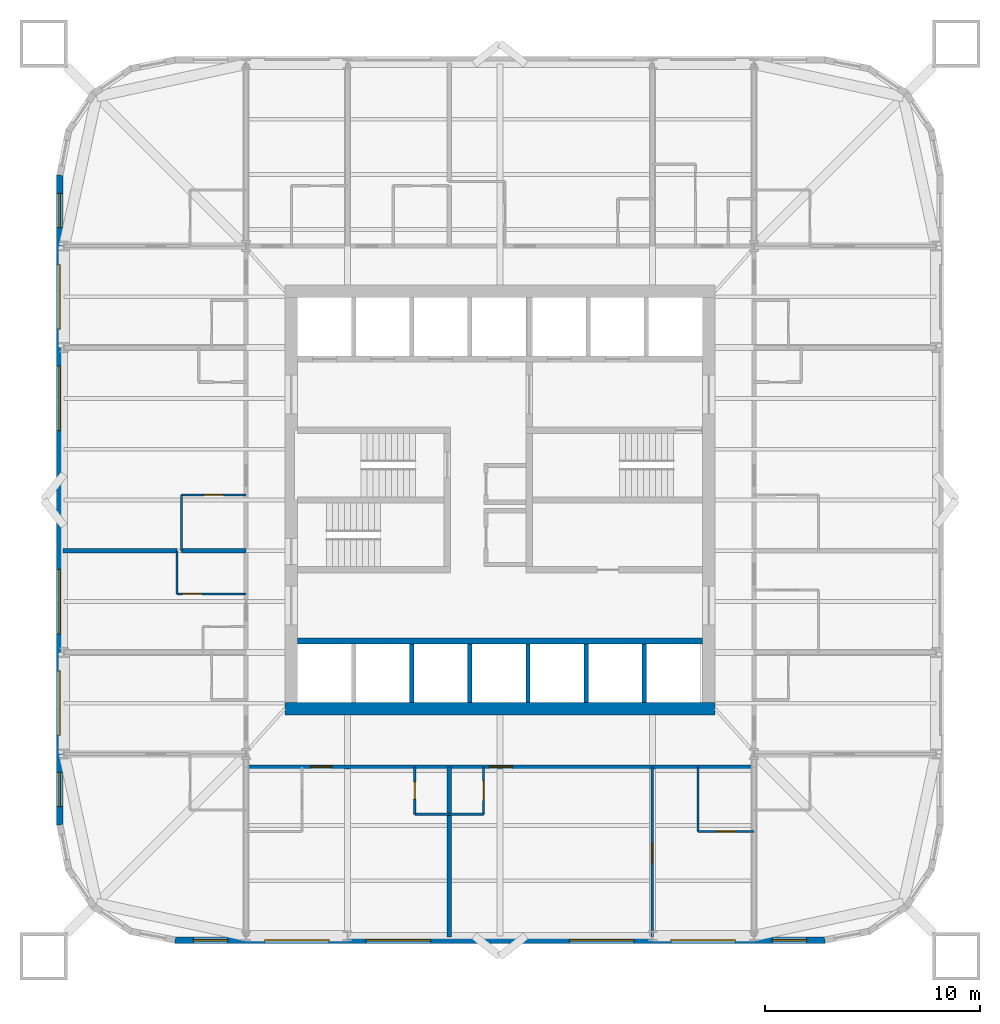
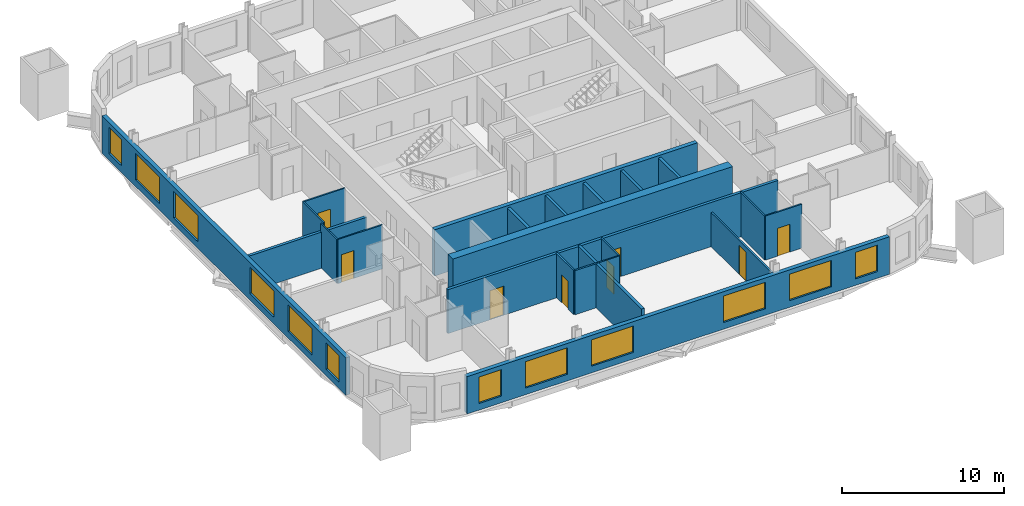
# One storey, part 3 of 9: 24 walls, 12 windows, 8 doors, 20 openings.
"""IFC4 building model written with IfcOpenShell, lengths in metres."""

import ifcopenshell
import ifcopenshell.guid

model = None  # the IFC model being written
_history = None  # IfcOwnerHistory: only IFC2X3 demands one
_inside = {}  # id of a spatial element -> (the spatial element, [elements in it])
_under = {}  # id of a project, library or spatial element -> (it, [spatial elements below it])
_declared = {}  # id of a project -> (the project, [libraries it declares])
_typed = {}  # id of a type object -> (the type object, [elements of that type])
_made_of = {}  # id of a material, layer set ... -> (it, [elements and type objects made of it])


def new_model(schema):
    """Start an empty IFC model of exactly this schema.

    Asked for "IFC4X3", IfcOpenShell would pick the latest addendum, in which some entities
    have other attributes; the version numbers below select the first issue.
    IFC2X3 requires an IfcOwnerHistory on every rooted entity: one is made here for all.
    """
    global model, _history
    if schema == "IFC4X3":
        model = ifcopenshell.file(schema_version=(4, 3, 0, 0))
    else:
        model = ifcopenshell.file(schema=schema)
    _inside.clear()
    _under.clear()
    _declared.clear()
    _typed.clear()
    _made_of.clear()
    _history = None
    if model.schema == "IFC2X3":
        org = make("IfcOrganization", Name="unknown")
        user = make(
            "IfcPersonAndOrganization",
            ThePerson=make("IfcPerson", FamilyName="unknown"),
            TheOrganization=org,
        )
        app = make(
            "IfcApplication",
            ApplicationDeveloper=org,
            Version="unknown",
            ApplicationFullName="unknown",
            ApplicationIdentifier="unknown",
        )
        _history = make(
            "IfcOwnerHistory",
            OwningUser=user,
            OwningApplication=app,
            ChangeAction="ADDED",
            CreationDate=0,
        )
    return model


def make(cls, **values):
    """One entity of the class cls with the attributes given. An attribute that is None is left unset."""
    return model.create_entity(
        cls, **{name: value for name, value in values.items() if value is not None}
    )


def rooted(cls, **values):
    """An entity with a GlobalId (a new one), such as an element, a storey or a relation."""
    return make(cls, GlobalId=ifcopenshell.guid.new(), OwnerHistory=_history, **values)


def si_unit(unit_type, name, prefix=None):
    """IfcSIUnit, for example si_unit("LENGTHUNIT", "METRE", prefix="MILLI")."""
    return make("IfcSIUnit", UnitType=unit_type, Prefix=prefix, Name=name)


def assignment(units):
    """IfcUnitAssignment: the units of a project."""
    return None if units is None else make("IfcUnitAssignment", Units=units)


def point(xyz):
    """IfcCartesianPoint."""
    return None if xyz is None else make("IfcCartesianPoint", Coordinates=xyz)


def direction(xyz):
    """IfcDirection."""
    return None if xyz is None else make("IfcDirection", DirectionRatios=xyz)


def frame(location, z_axis=None, x_axis=None):
    """IfcAxis2Placement3D, a coordinate frame: its origin and axes. An axis left out is left unset."""
    return make(
        "IfcAxis2Placement3D",
        Location=point(location),
        Axis=direction(z_axis),
        RefDirection=direction(x_axis),
    )


def frame_2d(location, x_axis=None):
    """IfcAxis2Placement2D, a coordinate frame in the plane: its origin and x axis."""
    return make(
        "IfcAxis2Placement2D", Location=point(location), RefDirection=direction(x_axis)
    )


def origin():
    """The frame at (0, 0, 0) with its axes left unset."""
    return frame((0.0, 0.0, 0.0))


def place(relative_to, where):
    """IfcLocalPlacement: puts the frame where relative to a parent placement (None: the world)."""
    return make(
        "IfcLocalPlacement", PlacementRelTo=relative_to, RelativePlacement=where
    )


def context(
    kind, dimensions, precision=None, world=None, true_north=None, identifier=None
):
    """IfcGeometricRepresentationContext, for example the 3D "Model" context."""
    return make(
        "IfcGeometricRepresentationContext",
        ContextIdentifier=identifier,
        ContextType=kind,
        CoordinateSpaceDimension=dimensions,
        Precision=precision,
        WorldCoordinateSystem=world,
        TrueNorth=true_north,
    )


def subcontext(parent, identifier, kind, view, scale=None):
    """IfcGeometricRepresentationSubContext, for example "Body" below "Model"."""
    return make(
        "IfcGeometricRepresentationSubContext",
        ContextIdentifier=identifier,
        ContextType=kind,
        ParentContext=parent,
        TargetScale=scale,
        TargetView=view,
    )


def project(units=None, contexts=None):
    """IfcProject with its units and contexts."""
    return rooted(
        "IfcProject",
        Name="project",
        RepresentationContexts=contexts,
        UnitsInContext=assignment(units),
    )


def spatial(cls, under=None, at=None, **own):
    """A site, building, storey or space (cls), placed at a placement, below another one or the project."""
    s = rooted(cls, ObjectPlacement=at, **own)
    if under is not None:
        _under.setdefault(under.id(), (under, []))[1].append(s)
    return s


def profile(cls, at=None, kind="AREA", **sizes):
    """A parametric profile (cls). Its sizes go by their IFC names, for example OverallWidth=200.0."""
    return make(cls, ProfileType=kind, Position=at, **sizes)


def rectangle(**sizes):
    """IfcRectangleProfileDef."""
    return profile("IfcRectangleProfileDef", **sizes)


def extrude(swept, where, along, depth):
    """IfcExtrudedAreaSolid: the profile swept, set in the frame where, extruded along a direction by depth."""
    return make(
        "IfcExtrudedAreaSolid",
        SweptArea=swept,
        Position=where,
        ExtrudedDirection=direction(along),
        Depth=depth,
    )


def shape(context_of_items, identifier, shape_type, items):
    """IfcShapeRepresentation: the items that make up one representation, for example the "Body"."""
    return make(
        "IfcShapeRepresentation",
        ContextOfItems=context_of_items,
        RepresentationIdentifier=identifier,
        RepresentationType=shape_type,
        Items=items,
    )


def material(Name=None, Category=None):
    """IfcMaterial."""
    return make("IfcMaterial", Name=Name, Category=Category)


def layer(
    of_material, thickness, ventilated=None, Name=None, Category=None, Priority=None
):
    """IfcMaterialLayer: one layer of a wall or slab, of a material (None: an air gap)."""
    return make(
        "IfcMaterialLayer",
        Material=of_material,
        LayerThickness=thickness,
        IsVentilated=ventilated,
        Name=Name,
        Category=Category,
        Priority=Priority,
    )


def layer_set(layers, Name=None):
    """IfcMaterialLayerSet."""
    return make("IfcMaterialLayerSet", MaterialLayers=layers, LayerSetName=Name)


def made_of(thing, what):
    """Note that an element or type object is made of a material, layer set ...; save() writes the relation."""
    if what is not None:
        _made_of.setdefault(what.id(), (what, []))[1].append(thing)
    return thing


def type_object(cls, material=None, **own):
    """A type object (cls), such as IfcWallType, which elements share."""
    return made_of(rooted(cls, **own), material)


def element(
    cls,
    number,
    at=None,
    inside=None,
    cuts=None,
    type_object=None,
    material=None,
    context=None,
    identifier="Body",
    shape_type=None,
    held_by="IfcProductDefinitionShape",
    body=None,
    shapes=None,
    **own,
):
    """One element of the class cls, such as IfcWall. Its Tag is "e" and its number.

    at: its placement. inside: the storey or other place that contains it. cuts: it is an
    opening in that element (IfcRelVoidsElement). A single representation is given by context,
    identifier, shape_type and body (its items); several are given by shapes. held_by: the class
    of the entity that holds the representations. save() writes the other relations.
    """
    e = rooted(cls, Tag="e%d" % number, ObjectPlacement=at, **own)
    if body is not None:
        shapes = [shape(context, identifier, shape_type, body)]
    if shapes is not None:
        e.Representation = make(held_by, Representations=shapes)
    if inside is not None:
        _inside.setdefault(inside.id(), (inside, []))[1].append(e)
    if cuts is not None:
        rooted(
            "IfcRelVoidsElement", RelatingBuildingElement=cuts, RelatedOpeningElement=e
        )
    if type_object is not None:
        _typed.setdefault(type_object.id(), (type_object, []))[1].append(e)
    return made_of(e, material)


def fill(opening, filler):
    """IfcRelFillsElement: the door or window that sits in an opening."""
    return rooted(
        "IfcRelFillsElement",
        RelatingOpeningElement=opening,
        RelatedBuildingElement=filler,
    )


def aggregate(whole, parts):
    """IfcRelAggregates: a whole, such as a stair, and the parts it consists of."""
    return rooted("IfcRelAggregates", RelatingObject=whole, RelatedObjects=parts)


def save(model, path):
    """Write the relations noted so far, then the file.

    IfcRelAggregates (storeys below a building ...), IfcRelContainedInSpatialStructure (elements
    in a storey), IfcRelDefinesByType, IfcRelAssociatesMaterial and IfcRelDeclares: one each for
    every whole, place, type object, material and project.
    """
    for whole, parts in _under.values():
        aggregate(whole, parts)
    for where, things in _inside.values():
        rooted(
            "IfcRelContainedInSpatialStructure",
            RelatedElements=things,
            RelatingStructure=where,
        )
    for kind, things in _typed.values():
        rooted("IfcRelDefinesByType", RelatedObjects=things, RelatingType=kind)
    for what, things in _made_of.values():
        rooted("IfcRelAssociatesMaterial", RelatedObjects=things, RelatingMaterial=what)
    for by, libraries in _declared.values():
        rooted("IfcRelDeclares", RelatingContext=by, RelatedDefinitions=libraries)
    model.write(path)


model = new_model("IFC4")

# Units and contexts
model_context = context("Model", 3, precision=1e-05, world=origin(), true_north=direction((0.0, 1.0)))
body_context = subcontext(model_context, "Body", "Model", "MODEL_VIEW")
ifc_project = project(units=[si_unit("LENGTHUNIT", "METRE"), si_unit("AREAUNIT", "SQUARE_METRE"), si_unit("VOLUMEUNIT", "CUBIC_METRE"), si_unit("PLANEANGLEUNIT", "RADIAN"), si_unit("MASSUNIT", "GRAM", prefix="KILO")], contexts=[model_context])

# Site, building, storey
site_placement = place(None, origin())
site = spatial("IfcSite", under=ifc_project, at=site_placement, CompositionType="ELEMENT")
building_placement = place(site_placement, origin())
building = spatial("IfcBuilding", under=site, at=building_placement, Name="Turquesa Mirador Hotel Tower", CompositionType="ELEMENT")
storey_placement = place(building_placement, frame((0.0, 0.0, 124.89990234375)))
storey = spatial("IfcBuildingStorey", under=building, at=storey_placement, Name="L33", CompositionType="ELEMENT", Elevation=124.89990234375)

# Wall
ifc_material_1 = material(Name="Gypsum board on steel studs", Category="steel")
ifc_layer_1 = layer(ifc_material_1, 0.10009765625)
ifc_layer_set_1 = layer_set([ifc_layer_1], Name="BATHROOM WALL 100")
wall_type_1 = type_object("IfcWallType", Name="BATHROOM WALL 100", PredefinedType="PARTITIONING", material=ifc_layer_set_1)
wall_1_placement = place(storey_placement, frame((52.639892578125, 30.39990234375, 0.0), z_axis=(0.0, 0.0, 1.0), x_axis=(1.0, 0.0, 0.0)))
element("IfcWall", 1, at=wall_1_placement, inside=storey, type_object=wall_type_1, Name="Partition L33 008", PredefinedType="PARTITIONING", context=body_context, shape_type="SweptSolid", body=[
    extrude(rectangle(XDim=1.60009765625, YDim=0.10009765625, at=frame_2d((0.800048828125, 0.0))), origin(), (0.0, 0.0, 1.0), 3.330078125),
])

# Wall, opening, door
wall_2_placement = place(storey_placement, frame((64.199951171875, 29.60009765625, 0.0), z_axis=(0.0, 0.0, 1.0), x_axis=(1.0, 0.0, 0.0)))
wall_2 = element("IfcWall", 2, at=wall_2_placement, inside=storey, type_object=wall_type_1, Name="Partition L33 011", PredefinedType="PARTITIONING", context=body_context, shape_type="SweptSolid", body=[
    extrude(rectangle(XDim=2.60009765625, YDim=0.10009765625, at=frame_2d((1.300048828125, 0.0))), origin(), (0.0, 0.0, 1.0), 3.330078125),
])
opening_1_placement = place(wall_2_placement, frame((0.85009765625, 0.0, 0.0)))
opening_1 = element("IfcOpeningElement", 3, at=opening_1_placement, cuts=wall_2, Name="Opening D02", PredefinedType="OPENING", context=body_context, shape_type="SweptSolid", body=[
    extrude(rectangle(XDim=0.89990234375, YDim=2.10009765625, at=frame_2d((0.449951171875, 1.050048828125))), frame((0.0, 0.06005859375, 0.0), z_axis=(0.0, -1.0, 0.0), x_axis=(1.0, 0.0, 0.0)), (0.0, 0.0, 1.0), 0.1201171875),
])
ifc_material_2 = material(Name="Timber veneered door", Category="wood")
door_type_1 = type_object("IfcDoorType", Name="DOOR 900X2100 EN-SUITE", OperationType="SINGLE_SWING_RIGHT", PredefinedType="DOOR", material=ifc_material_2)
door_1_placement = place(opening_1_placement, origin())
door_1 = element("IfcDoor", 4, at=door_1_placement, inside=storey, type_object=door_type_1, Name="Door 3306B", OperationType="SINGLE_SWING_RIGHT", OverallHeight=2.10009765625, OverallWidth=0.89990234375, PredefinedType="DOOR", context=body_context, shape_type="SweptSolid", body=[
    extrude(rectangle(XDim=0.89990234375, YDim=2.10009765625, at=frame_2d((0.449951171875, 1.050048828125))), frame((0.0, 0.02490234375, 0.0), z_axis=(0.0, -1.0, 0.0), x_axis=(1.0, 0.0, 0.0)), (0.0, 0.0, 1.0), 0.050048828125),
])
fill(opening_1, door_1)

wall_3_placement = place(storey_placement, frame((40.0, 40.639892578125, 0.0), z_axis=(0.0, 0.0, 1.0), x_axis=(1.0, 0.0, 0.0)))
wall_3 = element("IfcWall", 5, at=wall_3_placement, inside=storey, type_object=wall_type_1, Name="Partition L33 016", PredefinedType="PARTITIONING", context=body_context, shape_type="SweptSolid", body=[
    extrude(rectangle(XDim=3.199951171875, YDim=0.10009765625, at=frame_2d((1.60009765625, 0.0))), origin(), (0.0, 0.0, 1.0), 3.330078125),
])
opening_2_placement = place(wall_3_placement, frame((0.25, 0.0, 0.0)))
opening_2 = element("IfcOpeningElement", 6, at=opening_2_placement, cuts=wall_3, Name="Opening D02", PredefinedType="OPENING", context=body_context, shape_type="SweptSolid", body=[
    extrude(rectangle(XDim=0.89990234375, YDim=2.10009765625, at=frame_2d((0.449951171875, 1.050048828125))), frame((0.0, 0.06005859375, 0.0), z_axis=(0.0, -1.0, 0.0), x_axis=(1.0, 0.0, 0.0)), (0.0, 0.0, 1.0), 0.1201171875),
])
door_2_placement = place(opening_2_placement, origin())
door_2 = element("IfcDoor", 7, at=door_2_placement, inside=storey, type_object=door_type_1, Name="Door 3309B", OperationType="SINGLE_SWING_RIGHT", OverallHeight=2.10009765625, OverallWidth=0.89990234375, PredefinedType="DOOR", context=body_context, shape_type="SweptSolid", body=[
    extrude(rectangle(XDim=0.89990234375, YDim=2.10009765625, at=frame_2d((0.449951171875, 1.050048828125))), frame((0.0, 0.02490234375, 0.0), z_axis=(0.0, -1.0, 0.0), x_axis=(1.0, 0.0, 0.0)), (0.0, 0.0, 1.0), 0.050048828125),
])
fill(opening_2, door_2)

wall_4_placement = place(storey_placement, frame((40.199951171875, 45.239990234375, 0.0), z_axis=(0.0, 0.0, 1.0), x_axis=(1.0, 0.0, 0.0)))
wall_4 = element("IfcWall", 8, at=wall_4_placement, inside=storey, type_object=wall_type_1, Name="Partition L33 022", PredefinedType="PARTITIONING", context=body_context, shape_type="SweptSolid", body=[
    extrude(rectangle(XDim=3.0, YDim=0.10009765625, at=frame_2d((1.5, 0.0))), origin(), (0.0, 0.0, 1.0), 3.330078125),
])
opening_3_placement = place(wall_4_placement, frame((1.050048828125, 0.0, 0.0)))
opening_3 = element("IfcOpeningElement", 9, at=opening_3_placement, cuts=wall_4, Name="Opening D02", PredefinedType="OPENING", context=body_context, shape_type="SweptSolid", body=[
    extrude(rectangle(XDim=0.89990234375, YDim=2.10009765625, at=frame_2d((0.449951171875, 1.050048828125))), frame((0.0, 0.06005859375, 0.0), z_axis=(0.0, -1.0, 0.0), x_axis=(1.0, 0.0, 0.0)), (0.0, 0.0, 1.0), 0.1201171875),
])
door_3_placement = place(opening_3_placement, origin())
door_3 = element("IfcDoor", 10, at=door_3_placement, inside=storey, type_object=door_type_1, Name="Door 3310B", OperationType="SINGLE_SWING_RIGHT", OverallHeight=2.10009765625, OverallWidth=0.89990234375, PredefinedType="DOOR", context=body_context, shape_type="SweptSolid", body=[
    extrude(rectangle(XDim=0.89990234375, YDim=2.10009765625, at=frame_2d((0.449951171875, 1.050048828125))), frame((0.0, 0.02490234375, 0.0), z_axis=(0.0, -1.0, 0.0), x_axis=(1.0, 0.0, 0.0)), (0.0, 0.0, 1.0), 0.050048828125),
])
fill(opening_3, door_3)

wall_5_placement = place(storey_placement, frame((54.239990234375, 30.39990234375, 0.0), z_axis=(0.0, 0.0, 1.0), x_axis=(0.0, 1.0, 0.0)))
wall_5 = element("IfcWall", 11, at=wall_5_placement, inside=storey, type_object=wall_type_1, Name="Partition L33 043", PredefinedType="PARTITIONING", context=body_context, shape_type="SweptSolid", body=[
    extrude(rectangle(XDim=2.2001953125, YDim=0.10009765625, at=frame_2d((1.10009765625, 0.0))), origin(), (0.0, 0.0, 1.0), 3.330078125),
])
opening_4_placement = place(wall_5_placement, frame((0.64990234375, 0.0, 0.0)))
opening_4 = element("IfcOpeningElement", 12, at=opening_4_placement, cuts=wall_5, Name="Opening D06", PredefinedType="OPENING", context=body_context, shape_type="SweptSolid", body=[
    extrude(rectangle(XDim=0.89990234375, YDim=2.10009765625, at=frame_2d((0.449951171875, 1.050048828125))), frame((0.0, 0.06005859375, 0.0), z_axis=(0.0, -1.0, 0.0), x_axis=(1.0, 0.0, 0.0)), (0.0, 0.0, 1.0), 0.1201171875),
])
ifc_material_3 = material(Name="Laminate door", Category="wood")
door_type_2 = type_object("IfcDoorType", Name="DOOR 900X2100 WC", OperationType="SINGLE_SWING_LEFT", PredefinedType="DOOR", material=ifc_material_3)
door_4_placement = place(opening_4_placement, origin())
door_4 = element("IfcDoor", 13, at=door_4_placement, inside=storey, type_object=door_type_2, Name="Door 3306W", OperationType="SINGLE_SWING_LEFT", OverallHeight=2.10009765625, OverallWidth=0.89990234375, PredefinedType="DOOR", context=body_context, shape_type="SweptSolid", body=[
    extrude(rectangle(XDim=0.89990234375, YDim=2.10009765625, at=frame_2d((0.449951171875, 1.050048828125))), frame((0.0, 0.02490234375, 0.0), z_axis=(0.0, -1.0, 0.0), x_axis=(1.0, 0.0, 0.0)), (0.0, 0.0, 1.0), 0.050048828125),
])
fill(opening_4, door_4)

# Walls
wall_6_placement = place(storey_placement, frame((40.199951171875, 42.639892578125, 0.0), z_axis=(0.0, 0.0, 1.0), x_axis=(0.0, 1.0, 0.0)))
element("IfcWall", 14, at=wall_6_placement, inside=storey, type_object=wall_type_1, Name="Partition L33 053", PredefinedType="PARTITIONING", context=body_context, shape_type="SweptSolid", body=[
    extrude(rectangle(XDim=2.60009765625, YDim=0.10009765625, at=frame_2d((1.300048828125, 0.0))), origin(), (0.0, 0.0, 1.0), 3.330078125),
])
wall_7_placement = place(storey_placement, frame((40.0, 40.639892578125, 0.0), z_axis=(0.0, 0.0, 1.0), x_axis=(0.0, 1.0, 0.0)))
element("IfcWall", 15, at=wall_7_placement, inside=storey, type_object=wall_type_1, Name="Partition L33 054", PredefinedType="PARTITIONING", context=body_context, shape_type="SweptSolid", body=[
    extrude(rectangle(XDim=2.0, YDim=0.10009765625, at=frame_2d((1.0, 0.0))), origin(), (0.0, 0.0, 1.0), 3.330078125),
])
wall_8_placement = place(storey_placement, frame((64.199951171875, 29.60009765625, 0.0), z_axis=(0.0, 0.0, 1.0), x_axis=(0.0, 1.0, 0.0)))
element("IfcWall", 16, at=wall_8_placement, inside=storey, type_object=wall_type_1, Name="Partition L33 079", PredefinedType="PARTITIONING", context=body_context, shape_type="SweptSolid", body=[
    extrude(rectangle(XDim=3.0, YDim=0.10009765625, at=frame_2d((1.5, 0.0))), origin(), (0.0, 0.0, 1.0), 3.330078125),
])
ifc_material_4 = material(Name="Concrete C50/60", Category="concrete")
ifc_layer_2 = layer(ifc_material_4, 0.300048828125)
ifc_layer_set_2 = layer_set([ifc_layer_2], Name="CORE INNER WALL 300")
wall_type_2 = type_object("IfcWallType", Name="CORE INNER WALL 300", PredefinedType="SHEAR", material=ifc_layer_set_2)
wall_9_placement = place(storey_placement, frame((45.60009765625, 38.449951171875, 0.0), z_axis=(0.0, 0.0, 1.0), x_axis=(1.0, 0.0, 0.0)))
element("IfcWall", 17, at=wall_9_placement, inside=storey, type_object=wall_type_2, Name="Core wall SL", PredefinedType="SHEAR", context=body_context, shape_type="SweptSolid", body=[
    extrude(rectangle(XDim=18.7998046875, YDim=0.300048828125, at=frame_2d((9.39990234375, 0.0))), origin(), (0.0, 0.0, 1.0), 3.5),
])
ifc_material_5 = material(Name="Concrete C50/60", Category="concrete")
ifc_layer_3 = layer(ifc_material_5, 0.60009765625)
ifc_layer_set_3 = layer_set([ifc_layer_3], Name="CORE WALL 600")
wall_type_3 = type_object("IfcWallType", Name="CORE WALL 600", PredefinedType="SHEAR", material=ifc_layer_set_3)
wall_10_placement = place(storey_placement, frame((45.0, 35.300048828125, 0.0), z_axis=(0.0, 0.0, 1.0), x_axis=(1.0, 0.0, 0.0)))
element("IfcWall", 18, at=wall_10_placement, inside=storey, type_object=wall_type_3, Name="Core wall S", PredefinedType="SHEAR", context=body_context, shape_type="SweptSolid", body=[
    extrude(rectangle(XDim=20.0, YDim=0.60009765625, at=frame_2d((10.0, 0.0))), origin(), (0.0, 0.0, 1.0), 3.5),
])

# Wall, openings, doors
ifc_material_6 = material(Name="Fire-rated gypsum board on steel studs", Category="steel")
ifc_layer_4 = layer(ifc_material_6, 0.199951171875)
ifc_layer_set_4 = layer_set([ifc_layer_4], Name="CORRIDOR WALL 200")
wall_type_4 = type_object("IfcWallType", Name="CORRIDOR WALL 200", PredefinedType="PARTITIONING", material=ifc_layer_set_4)
wall_11_placement = place(storey_placement, frame((43.199951171875, 32.60009765625, 0.0), z_axis=(0.0, 0.0, 1.0), x_axis=(1.0, 0.0, 0.0)))
wall_11 = element("IfcWall", 19, at=wall_11_placement, inside=storey, type_object=wall_type_4, Name="Partition L33 005", PredefinedType="PARTITIONING", context=body_context, shape_type="SweptSolid", body=[
    extrude(rectangle(XDim=23.60009765625, YDim=0.199951171875, at=frame_2d((11.800048828125, 0.0))), origin(), (0.0, 0.0, 1.0), 3.330078125),
])
opening_5_placement = place(wall_11_placement, frame((3.0, 0.0, 0.0)))
opening_5 = element("IfcOpeningElement", 20, at=opening_5_placement, cuts=wall_11, Name="Opening D01", PredefinedType="OPENING", context=body_context, shape_type="SweptSolid", body=[
    extrude(rectangle(XDim=1.0, YDim=2.199951171875, at=frame_2d((0.5, 1.10009765625))), frame((0.0, 0.10986328125, 0.0), z_axis=(0.0, -1.0, 0.0), x_axis=(1.0, 0.0, 0.0)), (0.0, 0.0, 1.0), 0.219970703125),
])
opening_6_placement = place(wall_11_placement, frame((11.2900390625, 0.0, 0.0)))
opening_6 = element("IfcOpeningElement", 21, at=opening_6_placement, cuts=wall_11, Name="Opening D15", PredefinedType="OPENING", context=body_context, shape_type="SweptSolid", body=[
    extrude(rectangle(XDim=1.10009765625, YDim=2.199951171875, at=frame_2d((0.550048828125, 1.10009765625))), frame((0.0, 0.10986328125, 0.0), z_axis=(0.0, -1.0, 0.0), x_axis=(1.0, 0.0, 0.0)), (0.0, 0.0, 1.0), 0.219970703125),
])
ifc_material_7 = material(Name="Timber veneered fire door", Category="wood")
door_type_3 = type_object("IfcDoorType", Name="DOOR 1000X2200 GUEST ENTRY", OperationType="SINGLE_SWING_LEFT", PredefinedType="DOOR", material=ifc_material_7)
door_5_placement = place(opening_5_placement, origin())
door_5 = element("IfcDoor", 22, at=door_5_placement, inside=storey, type_object=door_type_3, Name="Door 3305", OperationType="SINGLE_SWING_LEFT", OverallHeight=2.199951171875, OverallWidth=1.0, PredefinedType="DOOR", context=body_context, shape_type="SweptSolid", body=[
    extrude(rectangle(XDim=1.0, YDim=2.199951171875, at=frame_2d((0.5, 1.10009765625))), frame((0.0, 0.02490234375, 0.0), z_axis=(0.0, -1.0, 0.0), x_axis=(1.0, 0.0, 0.0)), (0.0, 0.0, 1.0), 0.050048828125),
])
fill(opening_5, door_5)
ifc_material_8 = material(Name="Timber veneered fire door", Category="wood")
door_type_4 = type_object("IfcDoorType", Name="DOOR 1100X2200 SUITE ENTRY", OperationType="SINGLE_SWING_LEFT", PredefinedType="DOOR", material=ifc_material_8)
door_6_placement = place(opening_6_placement, origin())
door_6 = element("IfcDoor", 23, at=door_6_placement, inside=storey, type_object=door_type_4, Name="Door 3306", OperationType="SINGLE_SWING_LEFT", OverallHeight=2.199951171875, OverallWidth=1.10009765625, PredefinedType="DOOR", context=body_context, shape_type="SweptSolid", body=[
    extrude(rectangle(XDim=1.10009765625, YDim=2.199951171875, at=frame_2d((0.550048828125, 1.10009765625))), frame((0.0, 0.02490234375, 0.0), z_axis=(0.0, -1.0, 0.0), x_axis=(1.0, 0.0, 0.0)), (0.0, 0.0, 1.0), 0.050048828125),
])
fill(opening_6, door_6)

# Wall, openings, windows
ifc_material_9 = material(Name="Limestone cladding on concrete block", Category="masonry")
ifc_layer_5 = layer(ifc_material_9, 0.300048828125)
ifc_layer_set_5 = layer_set([ifc_layer_5], Name="FACADE WALL 300 STONE SCREEN")
wall_type_5 = type_object("IfcWallType", Name="FACADE WALL 300 STONE SCREEN", PredefinedType="SOLIDWALL", material=ifc_layer_set_5)
wall_12_placement = place(storey_placement, frame((34.550048828125, 60.10009765625, 0.0), z_axis=(0.0, 0.0, 1.0), x_axis=(0.0, -1.0, 0.0)))
wall_12 = element("IfcWall", 24, at=wall_12_placement, inside=storey, type_object=wall_type_5, Name="Facade wall L33 14", PredefinedType="SOLIDWALL", context=body_context, shape_type="SweptSolid", body=[
    extrude(rectangle(XDim=30.2001953125, YDim=0.300048828125, at=frame_2d((15.10009765625, 0.0))), origin(), (0.0, 0.0, 1.0), 2.830078125),
])
opening_7_placement = place(wall_12_placement, frame((0.85009765625, 0.0, 0.5)))
opening_7 = element("IfcOpeningElement", 25, at=opening_7_placement, cuts=wall_12, Name="Opening WN3", PredefinedType="OPENING", context=body_context, shape_type="SweptSolid", body=[
    extrude(rectangle(XDim=1.60009765625, YDim=2.0, at=frame_2d((0.800048828125, 1.0))), frame((0.0, 0.159912109375, 0.0), z_axis=(0.0, -1.0, 0.0), x_axis=(1.0, 0.0, 0.0)), (0.0, 0.0, 1.0), 0.320068359375),
])
opening_8_placement = place(wall_12_placement, frame((4.159912109375, 0.0, 0.5)))
opening_8 = element("IfcOpeningElement", 26, at=opening_8_placement, cuts=wall_12, Name="Opening WN1", PredefinedType="OPENING", context=body_context, shape_type="SweptSolid", body=[
    extrude(rectangle(XDim=3.0, YDim=2.0, at=frame_2d((1.5, 1.0))), frame((0.0, 0.159912109375, 0.0), z_axis=(0.0, -1.0, 0.0), x_axis=(1.0, 0.0, 0.0)), (0.0, 0.0, 1.0), 0.320068359375),
])
opening_9_placement = place(wall_12_placement, frame((8.8798828125, 0.0, 0.5)))
opening_9 = element("IfcOpeningElement", 27, at=opening_9_placement, cuts=wall_12, Name="Opening WN1", PredefinedType="OPENING", context=body_context, shape_type="SweptSolid", body=[
    extrude(rectangle(XDim=3.0, YDim=2.0, at=frame_2d((1.5, 1.0))), frame((0.0, 0.159912109375, 0.0), z_axis=(0.0, -1.0, 0.0), x_axis=(1.0, 0.0, 0.0)), (0.0, 0.0, 1.0), 0.320068359375),
])
opening_10_placement = place(wall_12_placement, frame((18.320068359375, 0.0, 0.5)))
opening_10 = element("IfcOpeningElement", 28, at=opening_10_placement, cuts=wall_12, Name="Opening WN1", PredefinedType="OPENING", context=body_context, shape_type="SweptSolid", body=[
    extrude(rectangle(XDim=3.0, YDim=2.0, at=frame_2d((1.5, 1.0))), frame((0.0, 0.159912109375, 0.0), z_axis=(0.0, -1.0, 0.0), x_axis=(1.0, 0.0, 0.0)), (0.0, 0.0, 1.0), 0.320068359375),
])
opening_11_placement = place(wall_12_placement, frame((23.0400390625, 0.0, 0.5)))
opening_11 = element("IfcOpeningElement", 29, at=opening_11_placement, cuts=wall_12, Name="Opening WN1", PredefinedType="OPENING", context=body_context, shape_type="SweptSolid", body=[
    extrude(rectangle(XDim=3.0, YDim=2.0, at=frame_2d((1.5, 1.0))), frame((0.0, 0.159912109375, 0.0), z_axis=(0.0, -1.0, 0.0), x_axis=(1.0, 0.0, 0.0)), (0.0, 0.0, 1.0), 0.320068359375),
])
opening_12_placement = place(wall_12_placement, frame((27.75, 0.0, 0.5)))
opening_12 = element("IfcOpeningElement", 30, at=opening_12_placement, cuts=wall_12, Name="Opening WN3", PredefinedType="OPENING", context=body_context, shape_type="SweptSolid", body=[
    extrude(rectangle(XDim=1.60009765625, YDim=2.0, at=frame_2d((0.800048828125, 1.0))), frame((0.0, 0.159912109375, 0.0), z_axis=(0.0, -1.0, 0.0), x_axis=(1.0, 0.0, 0.0)), (0.0, 0.0, 1.0), 0.320068359375),
])
ifc_material_10 = material(Name="Ceramic-fritted laminated glass", Category="glass")
window_type_1 = type_object("IfcWindowType", Name="FRITTED WINDOW 1600X2000", PartitioningType="DOUBLE_PANEL_HORIZONTAL", PredefinedType="WINDOW", material=ifc_material_10)
window_1_placement = place(opening_7_placement, origin())
window_1 = element("IfcWindow", 31, at=window_1_placement, inside=storey, type_object=window_type_1, Name="Window L33", OverallHeight=2.0, OverallWidth=1.60009765625, PartitioningType="SINGLE_PANEL", PredefinedType="WINDOW", context=body_context, shape_type="SweptSolid", body=[
    extrude(rectangle(XDim=1.60009765625, YDim=2.0, at=frame_2d((0.800048828125, 1.0))), frame((0.0, 0.030029296875, 0.0), z_axis=(0.0, -1.0, 0.0), x_axis=(1.0, 0.0, 0.0)), (0.0, 0.0, 1.0), 0.06005859375),
])
fill(opening_7, window_1)
window_2_placement = place(opening_12_placement, origin())
window_2 = element("IfcWindow", 32, at=window_2_placement, inside=storey, type_object=window_type_1, Name="Window L33", OverallHeight=2.0, OverallWidth=1.60009765625, PartitioningType="SINGLE_PANEL", PredefinedType="WINDOW", context=body_context, shape_type="SweptSolid", body=[
    extrude(rectangle(XDim=1.60009765625, YDim=2.0, at=frame_2d((0.800048828125, 1.0))), frame((0.0, 0.030029296875, 0.0), z_axis=(0.0, -1.0, 0.0), x_axis=(1.0, 0.0, 0.0)), (0.0, 0.0, 1.0), 0.06005859375),
])
fill(opening_12, window_2)
ifc_material_11 = material(Name="Ceramic-fritted laminated glass", Category="glass")
window_type_2 = type_object("IfcWindowType", Name="FRITTED WINDOW 3000X2000", PartitioningType="DOUBLE_PANEL_HORIZONTAL", PredefinedType="WINDOW", material=ifc_material_11)
window_3_placement = place(opening_8_placement, origin())
window_3 = element("IfcWindow", 33, at=window_3_placement, inside=storey, type_object=window_type_2, Name="Window L33", OverallHeight=2.0, OverallWidth=3.0, PartitioningType="SINGLE_PANEL", PredefinedType="WINDOW", context=body_context, shape_type="SweptSolid", body=[
    extrude(rectangle(XDim=3.0, YDim=2.0, at=frame_2d((1.5, 1.0))), frame((0.0, 0.030029296875, 0.0), z_axis=(0.0, -1.0, 0.0), x_axis=(1.0, 0.0, 0.0)), (0.0, 0.0, 1.0), 0.06005859375),
])
fill(opening_8, window_3)
window_4_placement = place(opening_9_placement, origin())
window_4 = element("IfcWindow", 34, at=window_4_placement, inside=storey, type_object=window_type_2, Name="Window L33", OverallHeight=2.0, OverallWidth=3.0, PartitioningType="SINGLE_PANEL", PredefinedType="WINDOW", context=body_context, shape_type="SweptSolid", body=[
    extrude(rectangle(XDim=3.0, YDim=2.0, at=frame_2d((1.5, 1.0))), frame((0.0, 0.030029296875, 0.0), z_axis=(0.0, -1.0, 0.0), x_axis=(1.0, 0.0, 0.0)), (0.0, 0.0, 1.0), 0.06005859375),
])
fill(opening_9, window_4)
window_5_placement = place(opening_10_placement, origin())
window_5 = element("IfcWindow", 35, at=window_5_placement, inside=storey, type_object=window_type_2, Name="Window L33", OverallHeight=2.0, OverallWidth=3.0, PartitioningType="SINGLE_PANEL", PredefinedType="WINDOW", context=body_context, shape_type="SweptSolid", body=[
    extrude(rectangle(XDim=3.0, YDim=2.0, at=frame_2d((1.5, 1.0))), frame((0.0, 0.030029296875, 0.0), z_axis=(0.0, -1.0, 0.0), x_axis=(1.0, 0.0, 0.0)), (0.0, 0.0, 1.0), 0.06005859375),
])
fill(opening_10, window_5)
window_6_placement = place(opening_11_placement, origin())
window_6 = element("IfcWindow", 36, at=window_6_placement, inside=storey, type_object=window_type_2, Name="Window L33", OverallHeight=2.0, OverallWidth=3.0, PartitioningType="SINGLE_PANEL", PredefinedType="WINDOW", context=body_context, shape_type="SweptSolid", body=[
    extrude(rectangle(XDim=3.0, YDim=2.0, at=frame_2d((1.5, 1.0))), frame((0.0, 0.030029296875, 0.0), z_axis=(0.0, -1.0, 0.0), x_axis=(1.0, 0.0, 0.0)), (0.0, 0.0, 1.0), 0.06005859375),
])
fill(opening_11, window_6)

wall_13_placement = place(storey_placement, frame((39.89990234375, 24.550048828125, 0.0), z_axis=(0.0, 0.0, 1.0), x_axis=(1.0, 0.0, 0.0)))
wall_13 = element("IfcWall", 37, at=wall_13_placement, inside=storey, type_object=wall_type_5, Name="Facade wall L33 19", PredefinedType="SOLIDWALL", context=body_context, shape_type="SweptSolid", body=[
    extrude(rectangle(XDim=30.2001953125, YDim=0.300048828125, at=frame_2d((15.10009765625, 0.0))), origin(), (0.0, 0.0, 1.0), 2.830078125),
])
opening_13_placement = place(wall_13_placement, frame((0.85009765625, 0.0, 0.5)))
opening_13 = element("IfcOpeningElement", 38, at=opening_13_placement, cuts=wall_13, Name="Opening WN3", PredefinedType="OPENING", context=body_context, shape_type="SweptSolid", body=[
    extrude(rectangle(XDim=1.60009765625, YDim=2.0, at=frame_2d((0.800048828125, 1.0))), frame((0.0, 0.159912109375, 0.0), z_axis=(0.0, -1.0, 0.0), x_axis=(1.0, 0.0, 0.0)), (0.0, 0.0, 1.0), 0.320068359375),
])
opening_14_placement = place(wall_13_placement, frame((4.159912109375, 0.0, 0.5)))
opening_14 = element("IfcOpeningElement", 39, at=opening_14_placement, cuts=wall_13, Name="Opening WN1", PredefinedType="OPENING", context=body_context, shape_type="SweptSolid", body=[
    extrude(rectangle(XDim=3.0, YDim=2.0, at=frame_2d((1.5, 1.0))), frame((0.0, 0.159912109375, 0.0), z_axis=(0.0, -1.0, 0.0), x_axis=(1.0, 0.0, 0.0)), (0.0, 0.0, 1.0), 0.320068359375),
])
opening_15_placement = place(wall_13_placement, frame((8.8798828125, 0.0, 0.5)))
opening_15 = element("IfcOpeningElement", 40, at=opening_15_placement, cuts=wall_13, Name="Opening WN1", PredefinedType="OPENING", context=body_context, shape_type="SweptSolid", body=[
    extrude(rectangle(XDim=3.0, YDim=2.0, at=frame_2d((1.5, 1.0))), frame((0.0, 0.159912109375, 0.0), z_axis=(0.0, -1.0, 0.0), x_axis=(1.0, 0.0, 0.0)), (0.0, 0.0, 1.0), 0.320068359375),
])
opening_16_placement = place(wall_13_placement, frame((18.320068359375, 0.0, 0.5)))
opening_16 = element("IfcOpeningElement", 41, at=opening_16_placement, cuts=wall_13, Name="Opening WN1", PredefinedType="OPENING", context=body_context, shape_type="SweptSolid", body=[
    extrude(rectangle(XDim=3.0, YDim=2.0, at=frame_2d((1.5, 1.0))), frame((0.0, 0.159912109375, 0.0), z_axis=(0.0, -1.0, 0.0), x_axis=(1.0, 0.0, 0.0)), (0.0, 0.0, 1.0), 0.320068359375),
])
opening_17_placement = place(wall_13_placement, frame((23.0400390625, 0.0, 0.5)))
opening_17 = element("IfcOpeningElement", 42, at=opening_17_placement, cuts=wall_13, Name="Opening WN1", PredefinedType="OPENING", context=body_context, shape_type="SweptSolid", body=[
    extrude(rectangle(XDim=3.0, YDim=2.0, at=frame_2d((1.5, 1.0))), frame((0.0, 0.159912109375, 0.0), z_axis=(0.0, -1.0, 0.0), x_axis=(1.0, 0.0, 0.0)), (0.0, 0.0, 1.0), 0.320068359375),
])
opening_18_placement = place(wall_13_placement, frame((27.75, 0.0, 0.5)))
opening_18 = element("IfcOpeningElement", 43, at=opening_18_placement, cuts=wall_13, Name="Opening WN3", PredefinedType="OPENING", context=body_context, shape_type="SweptSolid", body=[
    extrude(rectangle(XDim=1.60009765625, YDim=2.0, at=frame_2d((0.800048828125, 1.0))), frame((0.0, 0.159912109375, 0.0), z_axis=(0.0, -1.0, 0.0), x_axis=(1.0, 0.0, 0.0)), (0.0, 0.0, 1.0), 0.320068359375),
])
window_7_placement = place(opening_13_placement, origin())
window_7 = element("IfcWindow", 44, at=window_7_placement, inside=storey, type_object=window_type_1, Name="Window L33", OverallHeight=2.0, OverallWidth=1.60009765625, PartitioningType="SINGLE_PANEL", PredefinedType="WINDOW", context=body_context, shape_type="SweptSolid", body=[
    extrude(rectangle(XDim=1.60009765625, YDim=2.0, at=frame_2d((0.800048828125, 1.0))), frame((0.0, 0.030029296875, 0.0), z_axis=(0.0, -1.0, 0.0), x_axis=(1.0, 0.0, 0.0)), (0.0, 0.0, 1.0), 0.06005859375),
])
fill(opening_13, window_7)
window_8_placement = place(opening_18_placement, origin())
window_8 = element("IfcWindow", 45, at=window_8_placement, inside=storey, type_object=window_type_1, Name="Window L33", OverallHeight=2.0, OverallWidth=1.60009765625, PartitioningType="SINGLE_PANEL", PredefinedType="WINDOW", context=body_context, shape_type="SweptSolid", body=[
    extrude(rectangle(XDim=1.60009765625, YDim=2.0, at=frame_2d((0.800048828125, 1.0))), frame((0.0, 0.030029296875, 0.0), z_axis=(0.0, -1.0, 0.0), x_axis=(1.0, 0.0, 0.0)), (0.0, 0.0, 1.0), 0.06005859375),
])
fill(opening_18, window_8)
window_9_placement = place(opening_14_placement, origin())
window_9 = element("IfcWindow", 46, at=window_9_placement, inside=storey, type_object=window_type_2, Name="Window L33", OverallHeight=2.0, OverallWidth=3.0, PartitioningType="SINGLE_PANEL", PredefinedType="WINDOW", context=body_context, shape_type="SweptSolid", body=[
    extrude(rectangle(XDim=3.0, YDim=2.0, at=frame_2d((1.5, 1.0))), frame((0.0, 0.030029296875, 0.0), z_axis=(0.0, -1.0, 0.0), x_axis=(1.0, 0.0, 0.0)), (0.0, 0.0, 1.0), 0.06005859375),
])
fill(opening_14, window_9)
window_10_placement = place(opening_15_placement, origin())
window_10 = element("IfcWindow", 47, at=window_10_placement, inside=storey, type_object=window_type_2, Name="Window L33", OverallHeight=2.0, OverallWidth=3.0, PartitioningType="SINGLE_PANEL", PredefinedType="WINDOW", context=body_context, shape_type="SweptSolid", body=[
    extrude(rectangle(XDim=3.0, YDim=2.0, at=frame_2d((1.5, 1.0))), frame((0.0, 0.030029296875, 0.0), z_axis=(0.0, -1.0, 0.0), x_axis=(1.0, 0.0, 0.0)), (0.0, 0.0, 1.0), 0.06005859375),
])
fill(opening_15, window_10)
window_11_placement = place(opening_16_placement, origin())
window_11 = element("IfcWindow", 48, at=window_11_placement, inside=storey, type_object=window_type_2, Name="Window L33", OverallHeight=2.0, OverallWidth=3.0, PartitioningType="SINGLE_PANEL", PredefinedType="WINDOW", context=body_context, shape_type="SweptSolid", body=[
    extrude(rectangle(XDim=3.0, YDim=2.0, at=frame_2d((1.5, 1.0))), frame((0.0, 0.030029296875, 0.0), z_axis=(0.0, -1.0, 0.0), x_axis=(1.0, 0.0, 0.0)), (0.0, 0.0, 1.0), 0.06005859375),
])
fill(opening_16, window_11)
window_12_placement = place(opening_17_placement, origin())
window_12 = element("IfcWindow", 49, at=window_12_placement, inside=storey, type_object=window_type_2, Name="Window L33", OverallHeight=2.0, OverallWidth=3.0, PartitioningType="SINGLE_PANEL", PredefinedType="WINDOW", context=body_context, shape_type="SweptSolid", body=[
    extrude(rectangle(XDim=3.0, YDim=2.0, at=frame_2d((1.5, 1.0))), frame((0.0, 0.030029296875, 0.0), z_axis=(0.0, -1.0, 0.0), x_axis=(1.0, 0.0, 0.0)), (0.0, 0.0, 1.0), 0.06005859375),
])
fill(opening_17, window_12)

# Walls
ifc_material_12 = material(Name="Fire-rated gypsum shaft wall on steel studs", Category="steel")
ifc_layer_6 = layer(ifc_material_12, 0.199951171875)
ifc_layer_set_6 = layer_set([ifc_layer_6], Name="LIFT SHAFT DIVIDER 200")
wall_type_6 = type_object("IfcWallType", Name="LIFT SHAFT DIVIDER 200", PredefinedType="PARTITIONING", material=ifc_layer_set_6)
for number, where, z_axis, x_axis, name in (
    (50, (50.89990234375, 35.60009765625, 0.0), (0.0, 0.0, 1.0), (0.0, 1.0, 0.0), "Lift shaft divider"),
    (51, (53.60009765625, 35.60009765625, 0.0), (0.0, 0.0, 1.0), (0.0, 1.0, 0.0), "Lift shaft divider"),
    (52, (56.300048828125, 35.60009765625, 0.0), (0.0, 0.0, 1.0), (0.0, 1.0, 0.0), "Lift shaft divider"),
    (53, (59.0, 35.60009765625, 0.0), (0.0, 0.0, 1.0), (0.0, 1.0, 0.0), "Lift shaft divider"),
    (54, (61.699951171875, 35.60009765625, 0.0), (0.0, 0.0, 1.0), (0.0, 1.0, 0.0), "Lift shaft divider"),
):
    element("IfcWall", number, at=place(storey_placement, frame(where, z_axis=z_axis, x_axis=x_axis)), inside=storey, type_object=wall_type_6, Name=name, PredefinedType="PARTITIONING", context=body_context, shape_type="SweptSolid", body=[
        extrude(rectangle(XDim=2.699951171875, YDim=0.199951171875, at=frame_2d((1.35009765625, 0.0))), origin(), (0.0, 0.0, 1.0), 3.330078125),
    ])
ifc_material_13 = material(Name="Fire-rated gypsum board on steel studs", Category="steel")
ifc_layer_7 = layer(ifc_material_13, 0.199951171875)
ifc_layer_set_7 = layer_set([ifc_layer_7], Name="PARTY WALL 200")
wall_type_7 = type_object("IfcWallType", Name="PARTY WALL 200", PredefinedType="PARTITIONING", material=ifc_layer_set_7)
wall_14_placement = place(storey_placement, frame((34.699951171875, 42.639892578125, 0.0), z_axis=(0.0, 0.0, 1.0), x_axis=(1.0, 0.0, 0.0)))
element("IfcWall", 55, at=wall_14_placement, inside=storey, type_object=wall_type_7, Name="Partition L33 012", PredefinedType="PARTITIONING", context=body_context, shape_type="SweptSolid", body=[
    extrude(rectangle(XDim=5.300048828125, YDim=0.199951171875, at=frame_2d((2.64990234375, 0.0))), origin(), (0.0, 0.0, 1.0), 2.730712890625),
])
wall_15_placement = place(storey_placement, frame((40.199951171875, 42.639892578125, 0.0), z_axis=(0.0, 0.0, 1.0), x_axis=(1.0, 0.0, 0.0)))
element("IfcWall", 56, at=wall_15_placement, inside=storey, type_object=wall_type_7, Name="Partition L33 013", PredefinedType="PARTITIONING", context=body_context, shape_type="SweptSolid", body=[
    extrude(rectangle(XDim=3.0, YDim=0.199951171875, at=frame_2d((1.5, 0.0))), origin(), (0.0, 0.0, 1.0), 2.730712890625),
])
wall_16_placement = place(storey_placement, frame((52.639892578125, 24.699951171875, 0.0), z_axis=(0.0, 0.0, 1.0), x_axis=(0.0, 1.0, 0.0)))
element("IfcWall", 57, at=wall_16_placement, inside=storey, type_object=wall_type_7, Name="Partition L33 055", PredefinedType="PARTITIONING", context=body_context, shape_type="SweptSolid", body=[
    extrude(rectangle(XDim=7.900146484375, YDim=0.199951171875, at=frame_2d((3.9501953125, 0.0))), origin(), (0.0, 0.0, 1.0), 3.330078125),
])
ifc_material_14 = material(Name="Acoustic gypsum board on steel studs", Category="steel")
ifc_layer_8 = layer(ifc_material_14, 0.125)
ifc_layer_set_8 = layer_set([ifc_layer_8], Name="SUITE PARTITION 125")
wall_type_8 = type_object("IfcWallType", Name="SUITE PARTITION 125", PredefinedType="PARTITIONING", material=ifc_layer_set_8)
wall_17_placement = place(storey_placement, frame((51.0400390625, 30.39990234375, 0.0), z_axis=(0.0, 0.0, 1.0), x_axis=(1.0, 0.0, 0.0)))
element("IfcWall", 58, at=wall_17_placement, inside=storey, type_object=wall_type_8, Name="Partition L33 009", PredefinedType="PARTITIONING", context=body_context, shape_type="SweptSolid", body=[
    extrude(rectangle(XDim=1.599853515625, YDim=0.125, at=frame_2d((0.7998046875, 0.0))), origin(), (0.0, 0.0, 1.0), 3.330078125),
])

# Wall, opening, door
wall_18_placement = place(storey_placement, frame((51.0400390625, 30.39990234375, 0.0), z_axis=(0.0, 0.0, 1.0), x_axis=(0.0, 1.0, 0.0)))
wall_18 = element("IfcWall", 59, at=wall_18_placement, inside=storey, type_object=wall_type_8, Name="Partition L33 058", PredefinedType="PARTITIONING", context=body_context, shape_type="SweptSolid", body=[
    extrude(rectangle(XDim=2.2001953125, YDim=0.125, at=frame_2d((1.10009765625, 0.0))), origin(), (0.0, 0.0, 1.0), 3.330078125),
])
opening_19_placement = place(wall_18_placement, frame((0.699951171875, 0.0, 0.0)))
opening_19 = element("IfcOpeningElement", 60, at=opening_19_placement, cuts=wall_18, Name="Opening D20", PredefinedType="OPENING", context=body_context, shape_type="SweptSolid", body=[
    extrude(rectangle(XDim=0.800048828125, YDim=2.10009765625, at=frame_2d((0.39990234375, 1.050048828125))), frame((0.0, 0.072509765625, 0.0), z_axis=(0.0, -1.0, 0.0), x_axis=(1.0, 0.0, 0.0)), (0.0, 0.0, 1.0), 0.14501953125),
])
ifc_material_15 = material(Name="Timber veneered sliding door", Category="wood")
door_type_5 = type_object("IfcDoorType", Name="DOOR 800X2100 WARDROBE", OperationType="SLIDING_TO_LEFT", PredefinedType="DOOR", material=ifc_material_15)
door_7_placement = place(opening_19_placement, origin())
door_7 = element("IfcDoor", 61, at=door_7_placement, inside=storey, type_object=door_type_5, Name="Door 3305W", OperationType="SLIDING_TO_LEFT", OverallHeight=2.10009765625, OverallWidth=0.800048828125, PredefinedType="DOOR", context=body_context, shape_type="SweptSolid", body=[
    extrude(rectangle(XDim=0.800048828125, YDim=2.10009765625, at=frame_2d((0.39990234375, 1.050048828125))), frame((0.0, 0.02490234375, 0.0), z_axis=(0.0, -1.0, 0.0), x_axis=(1.0, 0.0, 0.0)), (0.0, 0.0, 1.0), 0.050048828125),
])
fill(opening_19, door_7)

wall_19_placement = place(storey_placement, frame((62.080078125, 24.699951171875, 0.0), z_axis=(0.0, 0.0, 1.0), x_axis=(0.0, 1.0, 0.0)))
wall_19 = element("IfcWall", 62, at=wall_19_placement, inside=storey, type_object=wall_type_8, Name="Partition L33 077", PredefinedType="PARTITIONING", context=body_context, shape_type="SweptSolid", body=[
    extrude(rectangle(XDim=7.900146484375, YDim=0.125, at=frame_2d((3.9501953125, 0.0))), origin(), (0.0, 0.0, 1.0), 2.5732421875),
])
opening_20_placement = place(wall_19_placement, frame((3.449951171875, 0.0, 0.0)))
opening_20 = element("IfcOpeningElement", 63, at=opening_20_placement, cuts=wall_19, Name="Opening D17", PredefinedType="OPENING", context=body_context, shape_type="SweptSolid", body=[
    extrude(rectangle(XDim=0.89990234375, YDim=2.199951171875, at=frame_2d((0.449951171875, 1.10009765625))), frame((0.0, 0.072509765625, 0.0), z_axis=(0.0, -1.0, 0.0), x_axis=(1.0, 0.0, 0.0)), (0.0, 0.0, 1.0), 0.14501953125),
])
ifc_material_16 = material(Name="Timber veneered door", Category="wood")
door_type_6 = type_object("IfcDoorType", Name="DOOR 900X2200 SUITE INTERNAL", OperationType="SINGLE_SWING_LEFT", PredefinedType="DOOR", material=ifc_material_16)
door_8_placement = place(opening_20_placement, origin())
door_8 = element("IfcDoor", 64, at=door_8_placement, inside=storey, type_object=door_type_6, Name="Door 3306R", OperationType="SINGLE_SWING_LEFT", OverallHeight=2.199951171875, OverallWidth=0.89990234375, PredefinedType="DOOR", context=body_context, shape_type="SweptSolid", body=[
    extrude(rectangle(XDim=0.89990234375, YDim=2.199951171875, at=frame_2d((0.449951171875, 1.10009765625))), frame((0.0, 0.02490234375, 0.0), z_axis=(0.0, -1.0, 0.0), x_axis=(1.0, 0.0, 0.0)), (0.0, 0.0, 1.0), 0.050048828125),
])
fill(opening_20, door_8)

save(model, "model.ifc")
